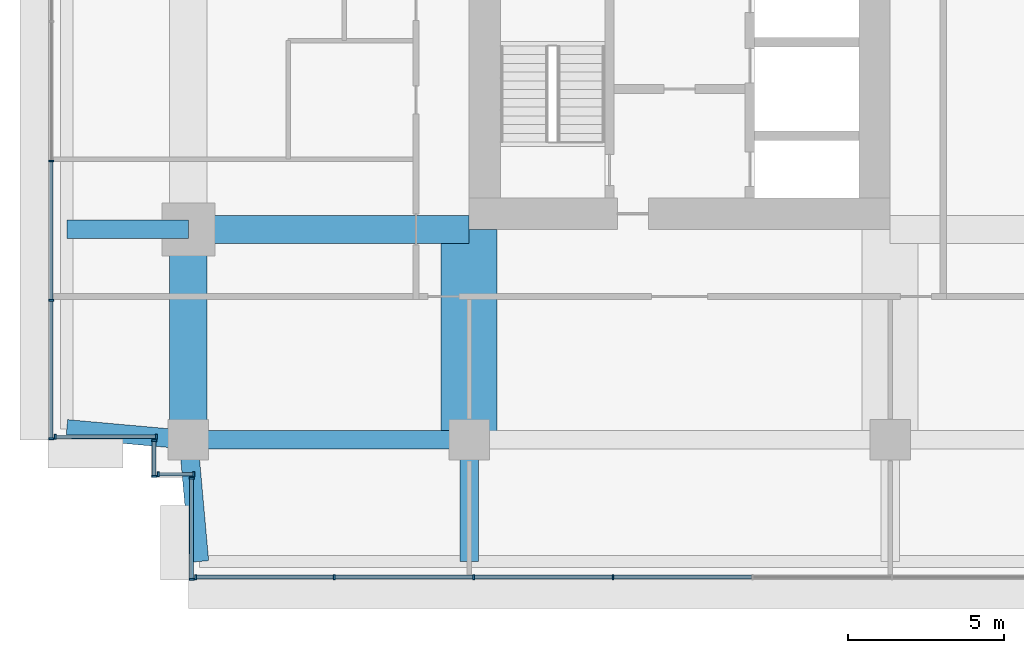
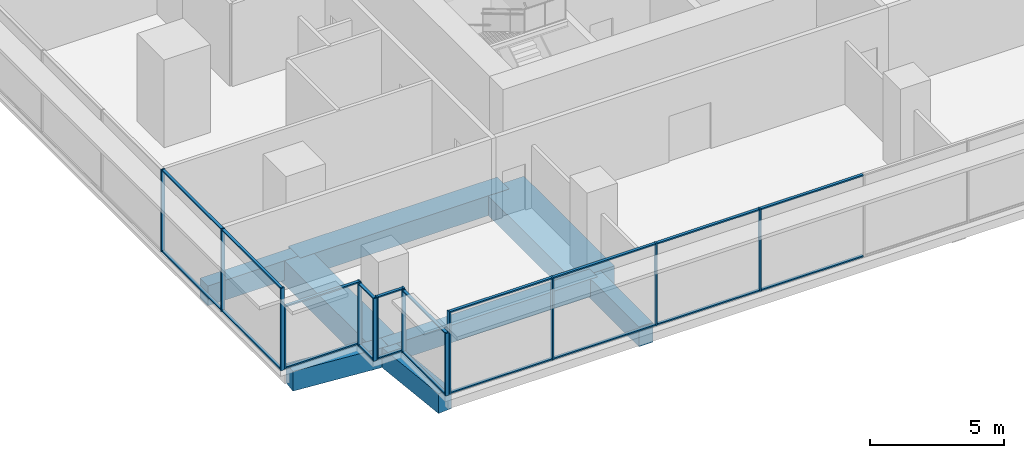
# One storey, part 2 of 13: 35 members, 8 beams, 6 elements without a shape of their own.
"""IFC4 building model written with IfcOpenShell, lengths in metres."""

from ifc_helpers import new_model, si_unit, direction, frame, origin, origin_2d, place, context, subcontext, project, spatial, rectangle, extrude, material, layer, layer_set, material_profile, profile_set, type_object, element, aggregate, save


model = new_model("IFC4")

# Units and contexts
model_context = context("Model", 3, precision=1e-05, world=origin(), true_north=direction((0.0, 1.0)))
body_context = subcontext(model_context, "Body", "Model", "MODEL_VIEW")
ifc_project = project(units=[si_unit("LENGTHUNIT", "METRE"), si_unit("AREAUNIT", "SQUARE_METRE"), si_unit("VOLUMEUNIT", "CUBIC_METRE"), si_unit("PLANEANGLEUNIT", "RADIAN"), si_unit("MASSUNIT", "GRAM", prefix="KILO")], contexts=[model_context])

# Site, building, storey
site_placement = place(None, origin())
site = spatial("IfcSite", under=ifc_project, at=site_placement, CompositionType="ELEMENT")
building_placement = place(site_placement, origin())
building = spatial("IfcBuilding", under=site, at=building_placement, Name="Namib Vertical Campus", CompositionType="ELEMENT")
storey_placement = place(building_placement, frame((0.0, 0.0, 293.0)))
storey = spatial("IfcBuildingStorey", under=building, at=storey_placement, Name="L69", CompositionType="ELEMENT", Elevation=293.0)

# Beams
ifc_material_1 = material(Name="Concrete C40/50", Category="concrete")
ifc_material_profile_1 = material_profile(ifc_material_1, rectangle(XDim=0.60009765625, YDim=0.89990234375, at=origin_2d()))
ifc_profile_set_1 = profile_set([ifc_material_profile_1], Name="Concrete C40/50")
beam_type_1 = type_object("IfcBeamType", Name="Cantilever girder RC 600x900", PredefinedType="BEAM", material=ifc_profile_set_1)
beam_1_placement = place(storey_placement, frame((4.5, 4.5, -0.699951171875), z_axis=(0.089411326146, -0.995994786511, 0.0), x_axis=(0.995994786511, 0.089411326146, 0.0)))
element("IfcBeam", 1, at=beam_1_placement, inside=storey, type_object=beam_type_1, Name="Beam B3 L69", PredefinedType="BEAM", context=body_context, shape_type="SweptSolid", body=[
    extrude(rectangle(XDim=0.60009765625, YDim=0.89990234375, at=origin_2d()), origin(), (0.0, 0.0, 1.0), 3.91552734375),
])
beam_2_placement = place(storey_placement, frame((13.5, 4.5, -0.699951171875), z_axis=(0.0, -1.0, 0.0), x_axis=(1.0, 0.0, 0.0)))
element("IfcBeam", 2, at=beam_2_placement, inside=storey, type_object=beam_type_1, Name="Beam B3 L69", PredefinedType="BEAM", context=body_context, shape_type="SweptSolid", body=[
    extrude(rectangle(XDim=0.60009765625, YDim=0.89990234375, at=origin_2d()), origin(), (0.0, 0.0, 1.0), 3.89990234375),
])
beam_3_placement = place(storey_placement, frame((4.5, 4.5, -0.699951171875), z_axis=(-0.995994786511, 0.089411326146, 0.0), x_axis=(-0.089411326146, -0.995994786511, 0.0)))
element("IfcBeam", 3, at=beam_3_placement, inside=storey, type_object=beam_type_1, Name="Beam B3 L69", PredefinedType="BEAM", context=body_context, shape_type="SweptSolid", body=[
    extrude(rectangle(XDim=0.60009765625, YDim=0.89990234375, at=origin_2d()), origin(), (0.0, 0.0, 1.0), 3.91552734375),
])
beam_4_placement = place(storey_placement, frame((4.5, 11.25, -0.699951171875), z_axis=(-1.0, 0.0, 0.0), x_axis=(0.0, -1.0, 0.0)))
element("IfcBeam", 4, at=beam_4_placement, inside=storey, type_object=beam_type_1, Name="Beam B3 L69", PredefinedType="BEAM", context=body_context, shape_type="SweptSolid", body=[
    extrude(rectangle(XDim=0.60009765625, YDim=0.89990234375, at=origin_2d()), origin(), (0.0, 0.0, 1.0), 3.89990234375),
])

# Curtain wall, members
ifc_material_2 = material(Name="Black aluminium curtain wall", Category="aluminium")
ifc_layer = layer(ifc_material_2, 0.199951171875)
ifc_layer_set = layer_set([ifc_layer], Name="Sky lounge curtain wall CW-SL")
curtain_wall_type = type_object("IfcCurtainWallType", Name="Sky lounge curtain wall CW-SL", PredefinedType="USERDEFINED", material=ifc_layer_set)
curtain_wall_1_placement = place(storey_placement, origin())
curtain_wall_1 = element("IfcCurtainWall", 5, at=curtain_wall_1_placement, inside=storey, type_object=curtain_wall_type, Name="Curtain wall CW-SL L69 F01-1", ObjectType="CURTAIN WALL", PredefinedType="USERDEFINED")
ifc_material_3 = material(Name="Black anodised aluminium", Category="aluminium")
ifc_material_profile_2 = material_profile(ifc_material_3, rectangle(XDim=0.06005859375, YDim=0.159912109375, at=origin_2d()))
ifc_profile_set_2 = profile_set([ifc_material_profile_2], Name="Black anodised aluminium")
member_type_1 = type_object("IfcMemberType", Name="Curtain wall mullion 60x160", PredefinedType="MULLION", material=ifc_profile_set_2)
member_1_placement = place(storey_placement, frame((4.72998046875, 0.10009765625, 0.0), z_axis=(0.0, 0.0, 1.0), x_axis=(1.0, 0.0, 0.0)))
member_1 = element("IfcMember", 6, at=member_1_placement, type_object=member_type_1, Name="CW-SL mullion 1", PredefinedType="MULLION", context=body_context, shape_type="SweptSolid", body=[
    extrude(rectangle(XDim=0.06005859375, YDim=0.159912109375, at=origin_2d()), origin(), (0.0, 0.0, 1.0), 3.75),
])
member_2_placement = place(storey_placement, frame((9.17138671875, 0.10009765625, 0.0), z_axis=(0.0, 0.0, 1.0), x_axis=(1.0, 0.0, 0.0)))
member_2 = element("IfcMember", 7, at=member_2_placement, type_object=member_type_1, Name="CW-SL mullion 2", PredefinedType="MULLION", context=body_context, shape_type="SweptSolid", body=[
    extrude(rectangle(XDim=0.06005859375, YDim=0.159912109375, at=origin_2d()), origin(), (0.0, 0.0, 1.0), 3.75),
])
member_3_placement = place(storey_placement, frame((13.642822265625, 0.10009765625, 0.0), z_axis=(0.0, 0.0, 1.0), x_axis=(1.0, 0.0, 0.0)))
member_3 = element("IfcMember", 8, at=member_3_placement, type_object=member_type_1, Name="CW-SL mullion 3", PredefinedType="MULLION", context=body_context, shape_type="SweptSolid", body=[
    extrude(rectangle(XDim=0.06005859375, YDim=0.159912109375, at=origin_2d()), origin(), (0.0, 0.0, 1.0), 3.75),
])
member_4_placement = place(storey_placement, frame((18.1142578125, 0.10009765625, 0.0), z_axis=(0.0, 0.0, 1.0), x_axis=(1.0, 0.0, 0.0)))
member_4 = element("IfcMember", 9, at=member_4_placement, type_object=member_type_1, Name="CW-SL mullion 4", PredefinedType="MULLION", context=body_context, shape_type="SweptSolid", body=[
    extrude(rectangle(XDim=0.06005859375, YDim=0.159912109375, at=origin_2d()), origin(), (0.0, 0.0, 1.0), 3.75),
])

curtain_wall_2_placement = place(storey_placement, origin())
curtain_wall_2 = element("IfcCurtainWall", 10, at=curtain_wall_2_placement, inside=storey, type_object=curtain_wall_type, Name="Curtain wall CW-SL L69 F16-1", ObjectType="CURTAIN WALL", PredefinedType="USERDEFINED")
member_5_placement = place(storey_placement, frame((0.10009765625, 13.44287109375, 0.0), z_axis=(0.0, 0.0, 1.0), x_axis=(0.0, -1.0, 0.0)))
member_5 = element("IfcMember", 11, at=member_5_placement, type_object=member_type_1, Name="CW-SL mullion 6", PredefinedType="MULLION", context=body_context, shape_type="SweptSolid", body=[
    extrude(rectangle(XDim=0.06005859375, YDim=0.159912109375, at=origin_2d()), origin(), (0.0, 0.0, 1.0), 3.75),
])
member_6_placement = place(storey_placement, frame((0.10009765625, 8.971435546875, 0.0), z_axis=(0.0, 0.0, 1.0), x_axis=(0.0, -1.0, 0.0)))
member_6 = element("IfcMember", 12, at=member_6_placement, type_object=member_type_1, Name="CW-SL mullion 7", PredefinedType="MULLION", context=body_context, shape_type="SweptSolid", body=[
    extrude(rectangle(XDim=0.06005859375, YDim=0.159912109375, at=origin_2d()), origin(), (0.0, 0.0, 1.0), 3.75),
])
member_7_placement = place(storey_placement, frame((0.10009765625, 4.530029296875, 0.0), z_axis=(0.0, 0.0, 1.0), x_axis=(0.0, -1.0, 0.0)))
member_7 = element("IfcMember", 13, at=member_7_placement, type_object=member_type_1, Name="CW-SL mullion 8", PredefinedType="MULLION", context=body_context, shape_type="SweptSolid", body=[
    extrude(rectangle(XDim=0.06005859375, YDim=0.159912109375, at=origin_2d()), origin(), (0.0, 0.0, 1.0), 3.75),
])

curtain_wall_3_placement = place(storey_placement, origin())
curtain_wall_3 = element("IfcCurtainWall", 14, at=curtain_wall_3_placement, inside=storey, type_object=curtain_wall_type, Name="Curtain wall CW-SL L69 F17-1", ObjectType="CURTAIN WALL", PredefinedType="USERDEFINED")
member_8_placement = place(storey_placement, frame((0.22998046875, 4.60009765625, 0.0), z_axis=(0.0, 0.0, 1.0), x_axis=(1.0, 0.0, 0.0)))
member_8 = element("IfcMember", 15, at=member_8_placement, type_object=member_type_1, Name="CW-SL mullion 1", PredefinedType="MULLION", context=body_context, shape_type="SweptSolid", body=[
    extrude(rectangle(XDim=0.06005859375, YDim=0.159912109375, at=origin_2d()), origin(), (0.0, 0.0, 1.0), 2.85009765625),
])
member_9_placement = place(storey_placement, frame((3.469970703125, 4.60009765625, 0.0), z_axis=(0.0, 0.0, 1.0), x_axis=(1.0, 0.0, 0.0)))
member_9 = element("IfcMember", 16, at=member_9_placement, type_object=member_type_1, Name="CW-SL mullion 2", PredefinedType="MULLION", context=body_context, shape_type="SweptSolid", body=[
    extrude(rectangle(XDim=0.06005859375, YDim=0.159912109375, at=origin_2d()), origin(), (0.0, 0.0, 1.0), 2.85009765625),
])

curtain_wall_4_placement = place(storey_placement, origin())
curtain_wall_4 = element("IfcCurtainWall", 17, at=curtain_wall_4_placement, inside=storey, type_object=curtain_wall_type, Name="Curtain wall CW-SL L69 F18-1", ObjectType="CURTAIN WALL", PredefinedType="USERDEFINED")
member_10_placement = place(storey_placement, frame((3.39990234375, 4.469970703125, 0.0), z_axis=(0.0, 0.0, 1.0), x_axis=(0.0, -1.0, 0.0)))
member_10 = element("IfcMember", 18, at=member_10_placement, type_object=member_type_1, Name="CW-SL mullion 1", PredefinedType="MULLION", context=body_context, shape_type="SweptSolid", body=[
    extrude(rectangle(XDim=0.06005859375, YDim=0.159912109375, at=origin_2d()), origin(), (0.0, 0.0, 1.0), 2.85009765625),
])
member_11_placement = place(storey_placement, frame((3.39990234375, 3.330078125, 0.0), z_axis=(0.0, 0.0, 1.0), x_axis=(0.0, -1.0, 0.0)))
member_11 = element("IfcMember", 19, at=member_11_placement, type_object=member_type_1, Name="CW-SL mullion 2", PredefinedType="MULLION", context=body_context, shape_type="SweptSolid", body=[
    extrude(rectangle(XDim=0.06005859375, YDim=0.159912109375, at=origin_2d()), origin(), (0.0, 0.0, 1.0), 2.85009765625),
])

curtain_wall_5_placement = place(storey_placement, origin())
curtain_wall_5 = element("IfcCurtainWall", 20, at=curtain_wall_5_placement, inside=storey, type_object=curtain_wall_type, Name="Curtain wall CW-SL L69 F19-1", ObjectType="CURTAIN WALL", PredefinedType="USERDEFINED")
member_12_placement = place(storey_placement, frame((3.530029296875, 3.39990234375, 0.0), z_axis=(0.0, 0.0, 1.0), x_axis=(1.0, 0.0, 0.0)))
member_12 = element("IfcMember", 21, at=member_12_placement, type_object=member_type_1, Name="CW-SL mullion 1", PredefinedType="MULLION", context=body_context, shape_type="SweptSolid", body=[
    extrude(rectangle(XDim=0.06005859375, YDim=0.159912109375, at=origin_2d()), origin(), (0.0, 0.0, 1.0), 2.85009765625),
])
member_13_placement = place(storey_placement, frame((4.669921875, 3.39990234375, 0.0), z_axis=(0.0, 0.0, 1.0), x_axis=(1.0, 0.0, 0.0)))
member_13 = element("IfcMember", 22, at=member_13_placement, type_object=member_type_1, Name="CW-SL mullion 2", PredefinedType="MULLION", context=body_context, shape_type="SweptSolid", body=[
    extrude(rectangle(XDim=0.06005859375, YDim=0.159912109375, at=origin_2d()), origin(), (0.0, 0.0, 1.0), 2.85009765625),
])

curtain_wall_6_placement = place(storey_placement, origin())
curtain_wall_6 = element("IfcCurtainWall", 23, at=curtain_wall_6_placement, inside=storey, type_object=curtain_wall_type, Name="Curtain wall CW-SL L69 F20-1", ObjectType="CURTAIN WALL", PredefinedType="USERDEFINED")
member_14_placement = place(storey_placement, frame((4.60009765625, 3.27001953125, 0.0), z_axis=(0.0, 0.0, 1.0), x_axis=(0.0, -1.0, 0.0)))
member_14 = element("IfcMember", 24, at=member_14_placement, type_object=member_type_1, Name="CW-SL mullion 1", PredefinedType="MULLION", context=body_context, shape_type="SweptSolid", body=[
    extrude(rectangle(XDim=0.06005859375, YDim=0.159912109375, at=origin_2d()), origin(), (0.0, 0.0, 1.0), 2.85009765625),
])
member_15_placement = place(storey_placement, frame((4.60009765625, 0.030029296875, 0.0), z_axis=(0.0, 0.0, 1.0), x_axis=(0.0, -1.0, 0.0)))
member_15 = element("IfcMember", 25, at=member_15_placement, type_object=member_type_1, Name="CW-SL mullion 2", PredefinedType="MULLION", context=body_context, shape_type="SweptSolid", body=[
    extrude(rectangle(XDim=0.06005859375, YDim=0.159912109375, at=origin_2d()), origin(), (0.0, 0.0, 1.0), 2.85009765625),
])

# Member
ifc_material_4 = material(Name="Black anodised aluminium", Category="aluminium")
ifc_material_profile_3 = material_profile(ifc_material_4, rectangle(XDim=0.06005859375, YDim=0.1201171875, at=origin_2d()))
ifc_profile_set_3 = profile_set([ifc_material_profile_3], Name="Black anodised aluminium")
member_type_2 = type_object("IfcMemberType", Name="Curtain wall transom 60x120", PredefinedType="USERDEFINED", material=ifc_profile_set_3)
member_16_placement = place(storey_placement, frame((4.760009765625, 0.10009765625, 0.030029296875), z_axis=(1.0, 0.0, 0.0), x_axis=(0.0, 0.0, 1.0)))
member_16 = element("IfcMember", 26, at=member_16_placement, type_object=member_type_2, Name="CW-SL transom 1.1", ObjectType="TRANSOM", PredefinedType="USERDEFINED", context=body_context, shape_type="SweptSolid", body=[
    extrude(rectangle(XDim=0.06005859375, YDim=0.1201171875, at=origin_2d()), origin(), (0.0, 0.0, 1.0), 4.38134765625),
])

member_17_placement = place(storey_placement, frame((4.760009765625, 0.10009765625, 3.719970703125), z_axis=(1.0, 0.0, 0.0), x_axis=(0.0, 0.0, 1.0)))
member_17 = element("IfcMember", 27, at=member_17_placement, type_object=member_type_2, Name="CW-SL transom 1.2", ObjectType="TRANSOM", PredefinedType="USERDEFINED", context=body_context, shape_type="SweptSolid", body=[
    extrude(rectangle(XDim=0.06005859375, YDim=0.1201171875, at=origin_2d()), origin(), (0.0, 0.0, 1.0), 4.38134765625),
])

member_18_placement = place(storey_placement, frame((9.201416015625, 0.10009765625, 0.030029296875), z_axis=(1.0, 0.0, 0.0), x_axis=(0.0, 0.0, 1.0)))
member_18 = element("IfcMember", 28, at=member_18_placement, type_object=member_type_2, Name="CW-SL transom 2.1", ObjectType="TRANSOM", PredefinedType="USERDEFINED", context=body_context, shape_type="SweptSolid", body=[
    extrude(rectangle(XDim=0.06005859375, YDim=0.1201171875, at=origin_2d()), origin(), (0.0, 0.0, 1.0), 4.411376953125),
])

member_19_placement = place(storey_placement, frame((9.201416015625, 0.10009765625, 3.719970703125), z_axis=(1.0, 0.0, 0.0), x_axis=(0.0, 0.0, 1.0)))
member_19 = element("IfcMember", 29, at=member_19_placement, type_object=member_type_2, Name="CW-SL transom 2.2", ObjectType="TRANSOM", PredefinedType="USERDEFINED", context=body_context, shape_type="SweptSolid", body=[
    extrude(rectangle(XDim=0.06005859375, YDim=0.1201171875, at=origin_2d()), origin(), (0.0, 0.0, 1.0), 4.411376953125),
])

member_20_placement = place(storey_placement, frame((13.6728515625, 0.10009765625, 0.030029296875), z_axis=(1.0, 0.0, 0.0), x_axis=(0.0, 0.0, 1.0)))
member_20 = element("IfcMember", 30, at=member_20_placement, type_object=member_type_2, Name="CW-SL transom 3.1", ObjectType="TRANSOM", PredefinedType="USERDEFINED", context=body_context, shape_type="SweptSolid", body=[
    extrude(rectangle(XDim=0.06005859375, YDim=0.1201171875, at=origin_2d()), origin(), (0.0, 0.0, 1.0), 4.411376953125),
])

member_21_placement = place(storey_placement, frame((13.6728515625, 0.10009765625, 3.719970703125), z_axis=(1.0, 0.0, 0.0), x_axis=(0.0, 0.0, 1.0)))
member_21 = element("IfcMember", 31, at=member_21_placement, type_object=member_type_2, Name="CW-SL transom 3.2", ObjectType="TRANSOM", PredefinedType="USERDEFINED", context=body_context, shape_type="SweptSolid", body=[
    extrude(rectangle(XDim=0.06005859375, YDim=0.1201171875, at=origin_2d()), origin(), (0.0, 0.0, 1.0), 4.411376953125),
])

member_22_placement = place(storey_placement, frame((18.144287109375, 0.10009765625, 0.030029296875), z_axis=(1.0, 0.0, 0.0), x_axis=(0.0, 0.0, 1.0)))
member_22 = element("IfcMember", 32, at=member_22_placement, type_object=member_type_2, Name="CW-SL transom 4.1", ObjectType="TRANSOM", PredefinedType="USERDEFINED", context=body_context, shape_type="SweptSolid", body=[
    extrude(rectangle(XDim=0.06005859375, YDim=0.1201171875, at=origin_2d()), origin(), (0.0, 0.0, 1.0), 4.411376953125),
])

member_23_placement = place(storey_placement, frame((18.144287109375, 0.10009765625, 3.719970703125), z_axis=(1.0, 0.0, 0.0), x_axis=(0.0, 0.0, 1.0)))
member_23 = element("IfcMember", 33, at=member_23_placement, type_object=member_type_2, Name="CW-SL transom 4.2", ObjectType="TRANSOM", PredefinedType="USERDEFINED", context=body_context, shape_type="SweptSolid", body=[
    extrude(rectangle(XDim=0.06005859375, YDim=0.1201171875, at=origin_2d()), origin(), (0.0, 0.0, 1.0), 4.411376953125),
])

aggregate(curtain_wall_1, [member_1, member_2, member_3, member_4, member_16, member_17, member_18, member_19, member_20, member_21, member_22, member_23])

member_24_placement = place(storey_placement, frame((0.10009765625, 13.412841796875, 0.030029296875), z_axis=(0.0, -1.0, 0.0), x_axis=(0.0, 0.0, 1.0)))
member_24 = element("IfcMember", 34, at=member_24_placement, type_object=member_type_2, Name="CW-SL transom 6.1", ObjectType="TRANSOM", PredefinedType="USERDEFINED", context=body_context, shape_type="SweptSolid", body=[
    extrude(rectangle(XDim=0.06005859375, YDim=0.1201171875, at=origin_2d()), origin(), (0.0, 0.0, 1.0), 4.411376953125),
])

member_25_placement = place(storey_placement, frame((0.10009765625, 13.412841796875, 3.719970703125), z_axis=(0.0, -1.0, 0.0), x_axis=(0.0, 0.0, 1.0)))
member_25 = element("IfcMember", 35, at=member_25_placement, type_object=member_type_2, Name="CW-SL transom 6.2", ObjectType="TRANSOM", PredefinedType="USERDEFINED", context=body_context, shape_type="SweptSolid", body=[
    extrude(rectangle(XDim=0.06005859375, YDim=0.1201171875, at=origin_2d()), origin(), (0.0, 0.0, 1.0), 4.411376953125),
])

member_26_placement = place(storey_placement, frame((0.10009765625, 8.94140625, 0.030029296875), z_axis=(0.0, -1.0, 0.0), x_axis=(0.0, 0.0, 1.0)))
member_26 = element("IfcMember", 36, at=member_26_placement, type_object=member_type_2, Name="CW-SL transom 7.1", ObjectType="TRANSOM", PredefinedType="USERDEFINED", context=body_context, shape_type="SweptSolid", body=[
    extrude(rectangle(XDim=0.06005859375, YDim=0.1201171875, at=origin_2d()), origin(), (0.0, 0.0, 1.0), 4.38134765625),
])

member_27_placement = place(storey_placement, frame((0.10009765625, 8.94140625, 3.719970703125), z_axis=(0.0, -1.0, 0.0), x_axis=(0.0, 0.0, 1.0)))
member_27 = element("IfcMember", 37, at=member_27_placement, type_object=member_type_2, Name="CW-SL transom 7.2", ObjectType="TRANSOM", PredefinedType="USERDEFINED", context=body_context, shape_type="SweptSolid", body=[
    extrude(rectangle(XDim=0.06005859375, YDim=0.1201171875, at=origin_2d()), origin(), (0.0, 0.0, 1.0), 4.38134765625),
])

aggregate(curtain_wall_2, [member_5, member_6, member_7, member_24, member_25, member_26, member_27])

member_28_placement = place(storey_placement, frame((0.260009765625, 4.60009765625, 0.030029296875), z_axis=(1.0, 0.0, 0.0), x_axis=(0.0, 0.0, 1.0)))
member_28 = element("IfcMember", 38, at=member_28_placement, type_object=member_type_2, Name="CW-SL transom 1.1", ObjectType="TRANSOM", PredefinedType="USERDEFINED", context=body_context, shape_type="SweptSolid", body=[
    extrude(rectangle(XDim=0.06005859375, YDim=0.1201171875, at=origin_2d()), origin(), (0.0, 0.0, 1.0), 3.179931640625),
])

member_29_placement = place(storey_placement, frame((0.260009765625, 4.60009765625, 2.820068359375), z_axis=(1.0, 0.0, 0.0), x_axis=(0.0, 0.0, 1.0)))
member_29 = element("IfcMember", 39, at=member_29_placement, type_object=member_type_2, Name="CW-SL transom 1.2", ObjectType="TRANSOM", PredefinedType="USERDEFINED", context=body_context, shape_type="SweptSolid", body=[
    extrude(rectangle(XDim=0.06005859375, YDim=0.1201171875, at=origin_2d()), origin(), (0.0, 0.0, 1.0), 3.179931640625),
])

aggregate(curtain_wall_3, [member_8, member_9, member_28, member_29])

member_30_placement = place(storey_placement, frame((3.39990234375, 4.43994140625, 0.030029296875), z_axis=(0.0, -1.0, 0.0), x_axis=(0.0, 0.0, 1.0)))
member_30 = element("IfcMember", 40, at=member_30_placement, type_object=member_type_2, Name="CW-SL transom 1.1", ObjectType="TRANSOM", PredefinedType="USERDEFINED", context=body_context, shape_type="SweptSolid", body=[
    extrude(rectangle(XDim=0.06005859375, YDim=0.1201171875, at=origin_2d()), origin(), (0.0, 0.0, 1.0), 1.079833984375),
])

member_31_placement = place(storey_placement, frame((3.39990234375, 4.43994140625, 2.820068359375), z_axis=(0.0, -1.0, 0.0), x_axis=(0.0, 0.0, 1.0)))
member_31 = element("IfcMember", 41, at=member_31_placement, type_object=member_type_2, Name="CW-SL transom 1.2", ObjectType="TRANSOM", PredefinedType="USERDEFINED", context=body_context, shape_type="SweptSolid", body=[
    extrude(rectangle(XDim=0.06005859375, YDim=0.1201171875, at=origin_2d()), origin(), (0.0, 0.0, 1.0), 1.079833984375),
])

aggregate(curtain_wall_4, [member_10, member_11, member_30, member_31])

member_32_placement = place(storey_placement, frame((3.56005859375, 3.39990234375, 0.030029296875), z_axis=(1.0, 0.0, 0.0), x_axis=(0.0, 0.0, 1.0)))
member_32 = element("IfcMember", 42, at=member_32_placement, type_object=member_type_2, Name="CW-SL transom 1.1", ObjectType="TRANSOM", PredefinedType="USERDEFINED", context=body_context, shape_type="SweptSolid", body=[
    extrude(rectangle(XDim=0.06005859375, YDim=0.1201171875, at=origin_2d()), origin(), (0.0, 0.0, 1.0), 1.079833984375),
])

member_33_placement = place(storey_placement, frame((3.56005859375, 3.39990234375, 2.820068359375), z_axis=(1.0, 0.0, 0.0), x_axis=(0.0, 0.0, 1.0)))
member_33 = element("IfcMember", 43, at=member_33_placement, type_object=member_type_2, Name="CW-SL transom 1.2", ObjectType="TRANSOM", PredefinedType="USERDEFINED", context=body_context, shape_type="SweptSolid", body=[
    extrude(rectangle(XDim=0.06005859375, YDim=0.1201171875, at=origin_2d()), origin(), (0.0, 0.0, 1.0), 1.079833984375),
])

aggregate(curtain_wall_5, [member_12, member_13, member_32, member_33])

member_34_placement = place(storey_placement, frame((4.60009765625, 3.239990234375, 0.030029296875), z_axis=(0.0, -1.0, 0.0), x_axis=(0.0, 0.0, 1.0)))
member_34 = element("IfcMember", 44, at=member_34_placement, type_object=member_type_2, Name="CW-SL transom 1.1", ObjectType="TRANSOM", PredefinedType="USERDEFINED", context=body_context, shape_type="SweptSolid", body=[
    extrude(rectangle(XDim=0.06005859375, YDim=0.1201171875, at=origin_2d()), origin(), (0.0, 0.0, 1.0), 3.179931640625),
])

member_35_placement = place(storey_placement, frame((4.60009765625, 3.239990234375, 2.820068359375), z_axis=(0.0, -1.0, 0.0), x_axis=(0.0, 0.0, 1.0)))
member_35 = element("IfcMember", 45, at=member_35_placement, type_object=member_type_2, Name="CW-SL transom 1.2", ObjectType="TRANSOM", PredefinedType="USERDEFINED", context=body_context, shape_type="SweptSolid", body=[
    extrude(rectangle(XDim=0.06005859375, YDim=0.1201171875, at=origin_2d()), origin(), (0.0, 0.0, 1.0), 3.179931640625),
])

aggregate(curtain_wall_6, [member_14, member_15, member_34, member_35])

# Beams
ifc_material_5 = material(Name="Concrete C40/50", Category="concrete")
ifc_material_profile_4 = material_profile(ifc_material_5, rectangle(XDim=0.89990234375, YDim=0.89990234375, at=origin_2d()))
ifc_profile_set_4 = profile_set([ifc_material_profile_4], Name="Concrete C40/50")
beam_type_2 = type_object("IfcBeamType", Name="Face girder RC 900x900", PredefinedType="BEAM", material=ifc_profile_set_4)
beam_5_placement = place(storey_placement, frame((4.5, 11.25, -0.699951171875), z_axis=(1.0, 0.0, 0.0), x_axis=(0.0, 1.0, 0.0)))
element("IfcBeam", 46, at=beam_5_placement, inside=storey, type_object=beam_type_2, Name="Beam B10 L69", PredefinedType="BEAM", context=body_context, shape_type="SweptSolid", body=[
    extrude(rectangle(XDim=0.89990234375, YDim=0.89990234375, at=origin_2d()), origin(), (0.0, 0.0, 1.0), 9.0),
])
ifc_material_6 = material(Name="Concrete C40/50", Category="concrete")
ifc_material_profile_5 = material_profile(ifc_material_6, rectangle(XDim=1.199951171875, YDim=1.10009765625, at=origin_2d()))
ifc_profile_set_5 = profile_set([ifc_material_profile_5], Name="Concrete C40/50")
beam_type_3 = type_object("IfcBeamType", Name="Face ring beam RC 1200x1100", PredefinedType="BEAM", material=ifc_profile_set_5)
beam_6_placement = place(storey_placement, frame((4.5, 4.5, -0.800048828125), z_axis=(0.0, 1.0, 0.0), x_axis=(-1.0, 0.0, 0.0)))
element("IfcBeam", 47, at=beam_6_placement, inside=storey, type_object=beam_type_3, Name="Beam B11 L69", PredefinedType="BEAM", context=body_context, shape_type="SweptSolid", body=[
    extrude(rectangle(XDim=1.199951171875, YDim=1.10009765625, at=origin_2d()), origin(), (0.0, 0.0, 1.0), 6.75),
])
ifc_material_7 = material(Name="Concrete C40/50", Category="concrete")
ifc_material_profile_6 = material_profile(ifc_material_7, rectangle(XDim=1.800048828125, YDim=0.89990234375, at=origin_2d()))
ifc_profile_set_6 = profile_set([ifc_material_profile_6], Name="Concrete C40/50")
beam_type_4 = type_object("IfcBeamType", Name="Outrigger line girder RC 1800x900", PredefinedType="BEAM", material=ifc_profile_set_6)
beam_7_placement = place(storey_placement, frame((13.5, 4.5, -0.699951171875), z_axis=(0.0, 1.0, 0.0), x_axis=(-1.0, 0.0, 0.0)))
element("IfcBeam", 48, at=beam_7_placement, inside=storey, type_object=beam_type_4, Name="Beam B12 L69", PredefinedType="BEAM", context=body_context, shape_type="SweptSolid", body=[
    extrude(rectangle(XDim=1.800048828125, YDim=0.89990234375, at=origin_2d()), origin(), (0.0, 0.0, 1.0), 6.75),
])
ifc_material_8 = material(Name="Concrete C40/50", Category="concrete")
ifc_material_profile_7 = material_profile(ifc_material_8, rectangle(XDim=0.60009765625, YDim=0.800048828125, at=origin_2d()))
ifc_profile_set_7 = profile_set([ifc_material_profile_7], Name="Concrete C40/50")
beam_type_5 = type_object("IfcBeamType", Name="Ring beam RC 600x800", PredefinedType="BEAM", material=ifc_profile_set_7)
beam_8_placement = place(storey_placement, frame((4.5, 4.5, -0.64990234375), z_axis=(1.0, 0.0, 0.0), x_axis=(0.0, 1.0, 0.0)))
element("IfcBeam", 49, at=beam_8_placement, inside=storey, type_object=beam_type_5, Name="Beam B1 L69", PredefinedType="BEAM", context=body_context, shape_type="SweptSolid", body=[
    extrude(rectangle(XDim=0.60009765625, YDim=0.800048828125, at=origin_2d()), origin(), (0.0, 0.0, 1.0), 9.0),
])

save(model, "model.ifc")
